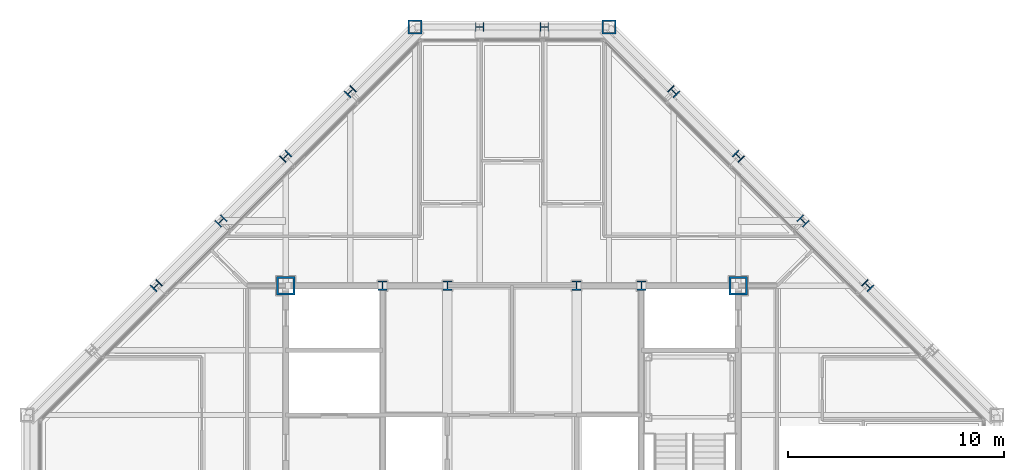
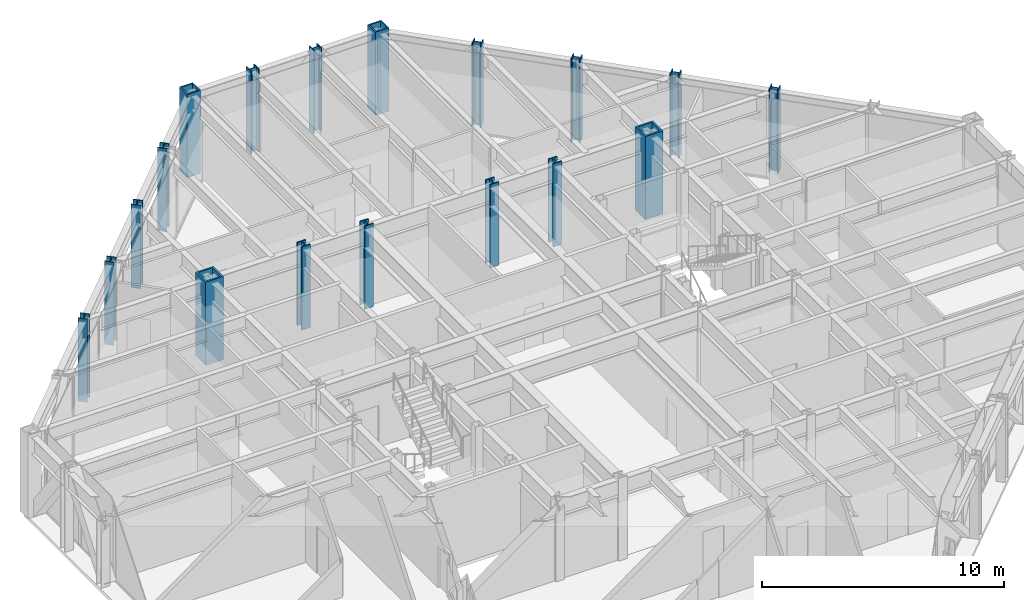
# One storey, part 4 of 15: 18 columns.
"""IFC4 building model written with IfcOpenShell, lengths in metres."""

import ifcopenshell
import ifcopenshell.guid

model = None  # the IFC model being written
_history = None  # IfcOwnerHistory: only IFC2X3 demands one
_inside = {}  # id of a spatial element -> (the spatial element, [elements in it])
_under = {}  # id of a project, library or spatial element -> (it, [spatial elements below it])
_declared = {}  # id of a project -> (the project, [libraries it declares])
_typed = {}  # id of a type object -> (the type object, [elements of that type])
_made_of = {}  # id of a material, layer set ... -> (it, [elements and type objects made of it])


def new_model(schema):
    """Start an empty IFC model of exactly this schema.

    Asked for "IFC4X3", IfcOpenShell would pick the latest addendum, in which some entities
    have other attributes; the version numbers below select the first issue.
    IFC2X3 requires an IfcOwnerHistory on every rooted entity: one is made here for all.
    """
    global model, _history
    if schema == "IFC4X3":
        model = ifcopenshell.file(schema_version=(4, 3, 0, 0))
    else:
        model = ifcopenshell.file(schema=schema)
    _inside.clear()
    _under.clear()
    _declared.clear()
    _typed.clear()
    _made_of.clear()
    _history = None
    if model.schema == "IFC2X3":
        org = make("IfcOrganization", Name="unknown")
        user = make(
            "IfcPersonAndOrganization",
            ThePerson=make("IfcPerson", FamilyName="unknown"),
            TheOrganization=org,
        )
        app = make(
            "IfcApplication",
            ApplicationDeveloper=org,
            Version="unknown",
            ApplicationFullName="unknown",
            ApplicationIdentifier="unknown",
        )
        _history = make(
            "IfcOwnerHistory",
            OwningUser=user,
            OwningApplication=app,
            ChangeAction="ADDED",
            CreationDate=0,
        )
    return model


def make(cls, **values):
    """One entity of the class cls with the attributes given. An attribute that is None is left unset."""
    return model.create_entity(
        cls, **{name: value for name, value in values.items() if value is not None}
    )


def rooted(cls, **values):
    """An entity with a GlobalId (a new one), such as an element, a storey or a relation."""
    return make(cls, GlobalId=ifcopenshell.guid.new(), OwnerHistory=_history, **values)


def si_unit(unit_type, name, prefix=None):
    """IfcSIUnit, for example si_unit("LENGTHUNIT", "METRE", prefix="MILLI")."""
    return make("IfcSIUnit", UnitType=unit_type, Prefix=prefix, Name=name)


def assignment(units):
    """IfcUnitAssignment: the units of a project."""
    return None if units is None else make("IfcUnitAssignment", Units=units)


def point(xyz):
    """IfcCartesianPoint."""
    return None if xyz is None else make("IfcCartesianPoint", Coordinates=xyz)


def direction(xyz):
    """IfcDirection."""
    return None if xyz is None else make("IfcDirection", DirectionRatios=xyz)


def frame(location, z_axis=None, x_axis=None):
    """IfcAxis2Placement3D, a coordinate frame: its origin and axes. An axis left out is left unset."""
    return make(
        "IfcAxis2Placement3D",
        Location=point(location),
        Axis=direction(z_axis),
        RefDirection=direction(x_axis),
    )


def frame_2d(location, x_axis=None):
    """IfcAxis2Placement2D, a coordinate frame in the plane: its origin and x axis."""
    return make(
        "IfcAxis2Placement2D", Location=point(location), RefDirection=direction(x_axis)
    )


def origin():
    """The frame at (0, 0, 0) with its axes left unset."""
    return frame((0.0, 0.0, 0.0))


def origin_2d():
    """The frame at (0, 0) in the plane with its x axis left unset."""
    return frame_2d((0.0, 0.0))


def place(relative_to, where):
    """IfcLocalPlacement: puts the frame where relative to a parent placement (None: the world)."""
    return make(
        "IfcLocalPlacement", PlacementRelTo=relative_to, RelativePlacement=where
    )


def context(
    kind, dimensions, precision=None, world=None, true_north=None, identifier=None
):
    """IfcGeometricRepresentationContext, for example the 3D "Model" context."""
    return make(
        "IfcGeometricRepresentationContext",
        ContextIdentifier=identifier,
        ContextType=kind,
        CoordinateSpaceDimension=dimensions,
        Precision=precision,
        WorldCoordinateSystem=world,
        TrueNorth=true_north,
    )


def subcontext(parent, identifier, kind, view, scale=None):
    """IfcGeometricRepresentationSubContext, for example "Body" below "Model"."""
    return make(
        "IfcGeometricRepresentationSubContext",
        ContextIdentifier=identifier,
        ContextType=kind,
        ParentContext=parent,
        TargetScale=scale,
        TargetView=view,
    )


def project(units=None, contexts=None):
    """IfcProject with its units and contexts."""
    return rooted(
        "IfcProject",
        Name="project",
        RepresentationContexts=contexts,
        UnitsInContext=assignment(units),
    )


def spatial(cls, under=None, at=None, **own):
    """A site, building, storey or space (cls), placed at a placement, below another one or the project."""
    s = rooted(cls, ObjectPlacement=at, **own)
    if under is not None:
        _under.setdefault(under.id(), (under, []))[1].append(s)
    return s


def profile(cls, at=None, kind="AREA", **sizes):
    """A parametric profile (cls). Its sizes go by their IFC names, for example OverallWidth=200.0."""
    return make(cls, ProfileType=kind, Position=at, **sizes)


def hollow_rectangle(**sizes):
    """IfcRectangleHollowProfileDef."""
    return profile("IfcRectangleHollowProfileDef", **sizes)


def i_section(**sizes):
    """IfcIShapeProfileDef."""
    return profile("IfcIShapeProfileDef", **sizes)


def extrude(swept, where, along, depth):
    """IfcExtrudedAreaSolid: the profile swept, set in the frame where, extruded along a direction by depth."""
    return make(
        "IfcExtrudedAreaSolid",
        SweptArea=swept,
        Position=where,
        ExtrudedDirection=direction(along),
        Depth=depth,
    )


def shape(context_of_items, identifier, shape_type, items):
    """IfcShapeRepresentation: the items that make up one representation, for example the "Body"."""
    return make(
        "IfcShapeRepresentation",
        ContextOfItems=context_of_items,
        RepresentationIdentifier=identifier,
        RepresentationType=shape_type,
        Items=items,
    )


def material(Name=None, Category=None):
    """IfcMaterial."""
    return make("IfcMaterial", Name=Name, Category=Category)


def material_profile(
    of_material, cross_section, Name=None, Category=None, Priority=None
):
    """IfcMaterialProfile: a cross section and its material."""
    return make(
        "IfcMaterialProfile",
        Name=Name,
        Material=of_material,
        Profile=cross_section,
        Priority=Priority,
        Category=Category,
    )


def profile_set(profiles, Name=None, composite=None):
    """IfcMaterialProfileSet."""
    return make(
        "IfcMaterialProfileSet",
        Name=Name,
        MaterialProfiles=profiles,
        CompositeProfile=composite,
    )


def made_of(thing, what):
    """Note that an element or type object is made of a material, layer set ...; save() writes the relation."""
    if what is not None:
        _made_of.setdefault(what.id(), (what, []))[1].append(thing)
    return thing


def type_object(cls, material=None, **own):
    """A type object (cls), such as IfcWallType, which elements share."""
    return made_of(rooted(cls, **own), material)


def element(
    cls,
    number,
    at=None,
    inside=None,
    cuts=None,
    type_object=None,
    material=None,
    context=None,
    identifier="Body",
    shape_type=None,
    held_by="IfcProductDefinitionShape",
    body=None,
    shapes=None,
    **own,
):
    """One element of the class cls, such as IfcWall. Its Tag is "e" and its number.

    at: its placement. inside: the storey or other place that contains it. cuts: it is an
    opening in that element (IfcRelVoidsElement). A single representation is given by context,
    identifier, shape_type and body (its items); several are given by shapes. held_by: the class
    of the entity that holds the representations. save() writes the other relations.
    """
    e = rooted(cls, Tag="e%d" % number, ObjectPlacement=at, **own)
    if body is not None:
        shapes = [shape(context, identifier, shape_type, body)]
    if shapes is not None:
        e.Representation = make(held_by, Representations=shapes)
    if inside is not None:
        _inside.setdefault(inside.id(), (inside, []))[1].append(e)
    if cuts is not None:
        rooted(
            "IfcRelVoidsElement", RelatingBuildingElement=cuts, RelatedOpeningElement=e
        )
    if type_object is not None:
        _typed.setdefault(type_object.id(), (type_object, []))[1].append(e)
    return made_of(e, material)


def aggregate(whole, parts):
    """IfcRelAggregates: a whole, such as a stair, and the parts it consists of."""
    return rooted("IfcRelAggregates", RelatingObject=whole, RelatedObjects=parts)


def save(model, path):
    """Write the relations noted so far, then the file.

    IfcRelAggregates (storeys below a building ...), IfcRelContainedInSpatialStructure (elements
    in a storey), IfcRelDefinesByType, IfcRelAssociatesMaterial and IfcRelDeclares: one each for
    every whole, place, type object, material and project.
    """
    for whole, parts in _under.values():
        aggregate(whole, parts)
    for where, things in _inside.values():
        rooted(
            "IfcRelContainedInSpatialStructure",
            RelatedElements=things,
            RelatingStructure=where,
        )
    for kind, things in _typed.values():
        rooted("IfcRelDefinesByType", RelatedObjects=things, RelatingType=kind)
    for what, things in _made_of.values():
        rooted("IfcRelAssociatesMaterial", RelatedObjects=things, RelatingMaterial=what)
    for by, libraries in _declared.values():
        rooted("IfcRelDeclares", RelatingContext=by, RelatedDefinitions=libraries)
    model.write(path)


model = new_model("IFC4")

# Units and contexts
model_context = context("Model", 3, precision=1e-05, world=origin(), true_north=direction((0.0, 1.0)))
body_context = subcontext(model_context, "Body", "Model", "MODEL_VIEW")
ifc_project = project(units=[si_unit("LENGTHUNIT", "METRE"), si_unit("AREAUNIT", "SQUARE_METRE"), si_unit("VOLUMEUNIT", "CUBIC_METRE"), si_unit("PLANEANGLEUNIT", "RADIAN"), si_unit("MASSUNIT", "GRAM", prefix="KILO")], contexts=[model_context])

# Site, building, storey
site_placement = place(None, origin())
site = spatial("IfcSite", under=ifc_project, at=site_placement, CompositionType="ELEMENT")
building_placement = place(site_placement, origin())
building = spatial("IfcBuilding", under=site, at=building_placement, Name="Chuquiago Exchange Tower", CompositionType="ELEMENT")
storey_placement = place(building_placement, frame((0.0, 0.0, 287.39990234375)))
storey = spatial("IfcBuildingStorey", under=building, at=storey_placement, Name="L64", CompositionType="ELEMENT", Elevation=287.39990234375)

# Columns
ifc_material_1 = material(Name="Steel ASTM A992", Category="steel")
ifc_material_profile_1 = material_profile(ifc_material_1, i_section(OverallWidth=0.4013671875, OverallDepth=0.398681640625, WebThickness=0.02490234375, FlangeThickness=0.03955078125, at=origin_2d()), Name="W14X211")
ifc_profile_set_1 = profile_set([ifc_material_profile_1], Name="Steel ASTM A992")
column_type_1 = type_object("IfcColumnType", Name="C9 W14X211", PredefinedType="COLUMN", material=ifc_profile_set_1)
for number, where, z_axis, x_axis, name in (
    (1, (24.0, 45.0, 0.0), (0.0, 0.0, 1.0), (0.0, 1.0, 0.0), "COL-L64-24_45"),
    (2, (21.0, 45.0, 0.0), (0.0, 0.0, 1.0), (0.0, 1.0, 0.0), "COL-L64-21_45"),
):
    element("IfcColumn", number, at=place(storey_placement, frame(where, z_axis=z_axis, x_axis=x_axis)), inside=storey, type_object=column_type_1, Name=name, PredefinedType="COLUMN", context=body_context, shape_type="SweptSolid", body=[
        extrude(i_section(OverallWidth=0.4013671875, OverallDepth=0.398681640625, WebThickness=0.02490234375, FlangeThickness=0.03955078125, at=origin_2d()), origin(), (0.0, 0.0, 1.0), 4.2001953125),
    ])
ifc_material_2 = material(Name="Steel ASTM A572 Grade 50", Category="steel")
ifc_material_profile_2 = material_profile(ifc_material_2, hollow_rectangle(XDim=0.85009765625, YDim=0.85009765625, WallThickness=0.0849609375, at=origin_2d()), Name="BOX850X850X85")
ifc_profile_set_2 = profile_set([ifc_material_profile_2], Name="Steel ASTM A572 Grade 50")
column_type_2 = type_object("IfcColumnType", Name="CC6 BOX850X850X85", PredefinedType="COLUMN", material=ifc_profile_set_2)
for number, where, z_axis, x_axis, name in (
    (3, (12.0, 33.0, 0.0), (0.0, 0.0, 1.0), (1.0, 0.0, 0.0), "CCOL-L64-12_33"),
    (4, (33.0, 33.0, 0.0), (0.0, 0.0, 1.0), (1.0, 0.0, 0.0), "CCOL-L64-33_33"),
):
    element("IfcColumn", number, at=place(storey_placement, frame(where, z_axis=z_axis, x_axis=x_axis)), inside=storey, type_object=column_type_2, Name=name, PredefinedType="COLUMN", context=body_context, shape_type="SweptSolid", body=[
        extrude(hollow_rectangle(XDim=0.85009765625, YDim=0.85009765625, WallThickness=0.0849609375, at=origin_2d()), origin(), (0.0, 0.0, 1.0), 4.2001953125),
    ])
ifc_material_3 = material(Name="Steel ASTM A992", Category="steel")
ifc_material_profile_3 = material_profile(ifc_material_3, i_section(OverallWidth=0.41650390625, OverallDepth=0.444580078125, WebThickness=0.0390625, FlangeThickness=0.062744140625, at=origin_2d()), Name="W14X342")
ifc_profile_set_3 = profile_set([ifc_material_profile_3], Name="Steel ASTM A992")
column_type_3 = type_object("IfcColumnType", Name="CC9 W14X342", PredefinedType="COLUMN", material=ifc_profile_set_3)
for number, where, z_axis, x_axis, name in (
    (5, (16.5, 33.0, 0.0), (0.0, 0.0, 1.0), (1.0, 0.0, 0.0), "CCOL-L64-16.5_33"),
    (6, (19.5, 33.0, 0.0), (0.0, 0.0, 1.0), (1.0, 0.0, 0.0), "CCOL-L64-19.5_33"),
    (7, (25.5, 33.0, 0.0), (0.0, 0.0, 1.0), (1.0, 0.0, 0.0), "CCOL-L64-25.5_33"),
    (8, (28.5, 33.0, 0.0), (0.0, 0.0, 1.0), (1.0, 0.0, 0.0), "CCOL-L64-28.5_33"),
):
    element("IfcColumn", number, at=place(storey_placement, frame(where, z_axis=z_axis, x_axis=x_axis)), inside=storey, type_object=column_type_3, Name=name, PredefinedType="COLUMN", context=body_context, shape_type="SweptSolid", body=[
        extrude(i_section(OverallWidth=0.41650390625, OverallDepth=0.444580078125, WebThickness=0.0390625, FlangeThickness=0.062744140625, at=origin_2d()), origin(), (0.0, 0.0, 1.0), 4.2001953125),
    ])
ifc_material_4 = material(Name="Steel ASTM A992", Category="steel")
ifc_material_profile_4 = material_profile(ifc_material_4, i_section(OverallWidth=0.40380859375, OverallDepth=0.406494140625, WebThickness=0.027099609375, FlangeThickness=0.043701171875, at=origin_2d()), Name="W14X233")
ifc_profile_set_4 = profile_set([ifc_material_profile_4], Name="Steel ASTM A992")
column_type_4 = type_object("IfcColumnType", Name="CK8 W14X233", PredefinedType="COLUMN", material=ifc_profile_set_4)
for number, where, z_axis, x_axis, name in (
    (9, (39.0, 33.0, 0.0), (0.0, 0.0, 1.0), (0.707106781187, 0.707106781187, 0.0), "COL-L64-39_33"),
    (10, (36.0, 36.0, 0.0), (0.0, 0.0, 1.0), (0.707106781187, 0.707106781187, 0.0), "COL-L64-36_36"),
    (11, (33.0, 39.0, 0.0), (0.0, 0.0, 1.0), (0.707106781187, 0.707106781187, 0.0), "COL-L64-33_39"),
    (12, (30.0, 42.0, 0.0), (0.0, 0.0, 1.0), (0.707106781187, 0.707106781187, 0.0), "COL-L64-30_42"),
    (13, (15.0, 42.0, 0.0), (0.0, 0.0, 1.0), (-0.707106781187, 0.707106781187, 0.0), "COL-L64-15_42"),
    (14, (12.0, 39.0, 0.0), (0.0, 0.0, 1.0), (-0.707106781187, 0.707106781187, 0.0), "COL-L64-12_39"),
    (15, (9.0, 36.0, 0.0), (0.0, 0.0, 1.0), (-0.707106781187, 0.707106781187, 0.0), "COL-L64-9_36"),
    (16, (6.0, 33.0, 0.0), (0.0, 0.0, 1.0), (-0.707106781187, 0.707106781187, 0.0), "COL-L64-6_33"),
):
    element("IfcColumn", number, at=place(storey_placement, frame(where, z_axis=z_axis, x_axis=x_axis)), inside=storey, type_object=column_type_4, Name=name, PredefinedType="COLUMN", context=body_context, shape_type="SweptSolid", body=[
        extrude(i_section(OverallWidth=0.40380859375, OverallDepth=0.406494140625, WebThickness=0.027099609375, FlangeThickness=0.043701171875, at=origin_2d()), origin(), (0.0, 0.0, 1.0), 4.2001953125),
    ])
ifc_material_5 = material(Name="Steel ASTM A572 Grade 50", Category="steel")
ifc_material_profile_5 = material_profile(ifc_material_5, hollow_rectangle(XDim=0.64990234375, YDim=0.64990234375, WallThickness=0.06494140625, at=origin_2d()), Name="BOX650X650X65")
ifc_profile_set_5 = profile_set([ifc_material_profile_5], Name="Steel ASTM A572 Grade 50")
column_type_5 = type_object("IfcColumnType", Name="CN2 BOX650X650X65", PredefinedType="COLUMN", material=ifc_profile_set_5)
for number, where, z_axis, x_axis, name in (
    (17, (27.0, 45.0, 0.0), (0.0, 0.0, 1.0), (0.0, 1.0, 0.0), "COL-L64-27_45"),
    (18, (18.0, 45.0, 0.0), (0.0, 0.0, 1.0), (0.0, 1.0, 0.0), "COL-L64-18_45"),
):
    element("IfcColumn", number, at=place(storey_placement, frame(where, z_axis=z_axis, x_axis=x_axis)), inside=storey, type_object=column_type_5, Name=name, PredefinedType="COLUMN", context=body_context, shape_type="SweptSolid", body=[
        extrude(hollow_rectangle(XDim=0.64990234375, YDim=0.64990234375, WallThickness=0.06494140625, at=origin_2d()), origin(), (0.0, 0.0, 1.0), 4.2001953125),
    ])

save(model, "model.ifc")
